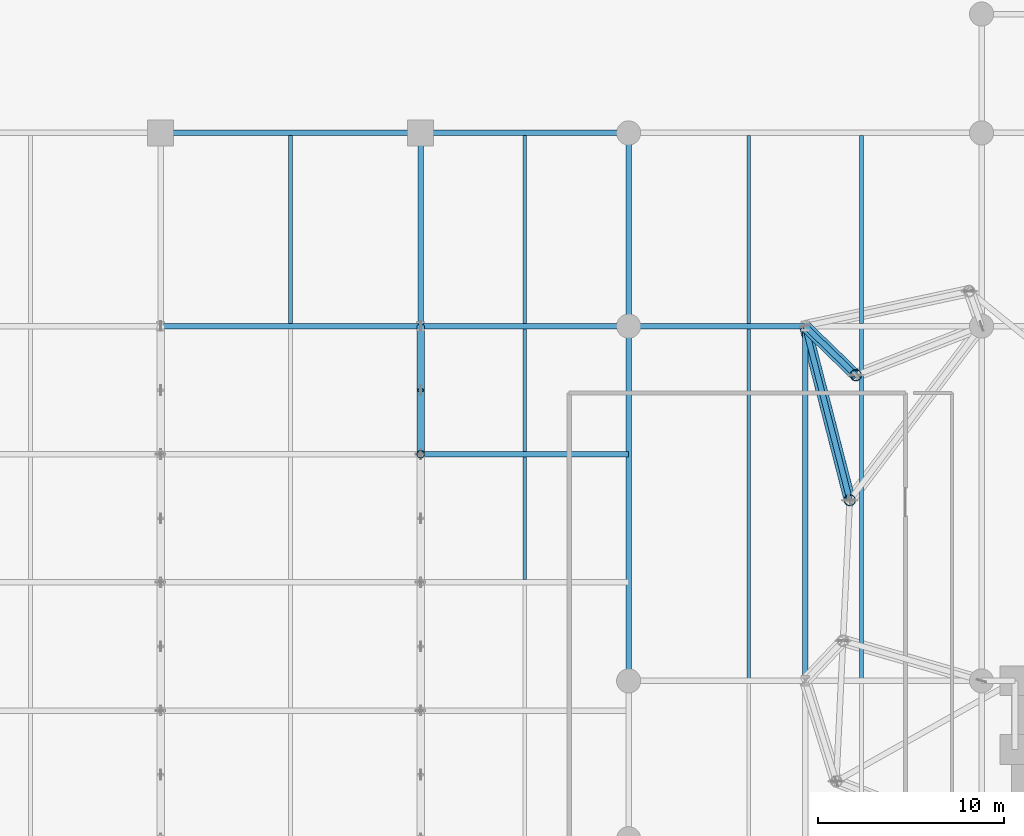
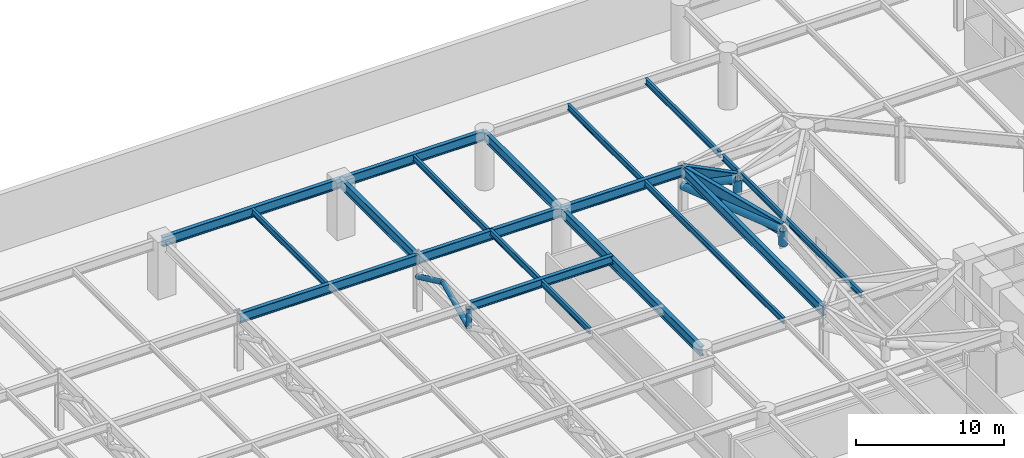
# One storey, part 20 of 40: 20 beams, 7 members.
"""IFC4 building model written with IfcOpenShell, lengths in metres."""

import ifcopenshell
import ifcopenshell.guid

model = None  # the IFC model being written
_history = None  # IfcOwnerHistory: only IFC2X3 demands one
_inside = {}  # id of a spatial element -> (the spatial element, [elements in it])
_under = {}  # id of a project, library or spatial element -> (it, [spatial elements below it])
_declared = {}  # id of a project -> (the project, [libraries it declares])
_typed = {}  # id of a type object -> (the type object, [elements of that type])
_made_of = {}  # id of a material, layer set ... -> (it, [elements and type objects made of it])


def new_model(schema):
    """Start an empty IFC model of exactly this schema.

    Asked for "IFC4X3", IfcOpenShell would pick the latest addendum, in which some entities
    have other attributes; the version numbers below select the first issue.
    IFC2X3 requires an IfcOwnerHistory on every rooted entity: one is made here for all.
    """
    global model, _history
    if schema == "IFC4X3":
        model = ifcopenshell.file(schema_version=(4, 3, 0, 0))
    else:
        model = ifcopenshell.file(schema=schema)
    _inside.clear()
    _under.clear()
    _declared.clear()
    _typed.clear()
    _made_of.clear()
    _history = None
    if model.schema == "IFC2X3":
        org = make("IfcOrganization", Name="unknown")
        user = make(
            "IfcPersonAndOrganization",
            ThePerson=make("IfcPerson", FamilyName="unknown"),
            TheOrganization=org,
        )
        app = make(
            "IfcApplication",
            ApplicationDeveloper=org,
            Version="unknown",
            ApplicationFullName="unknown",
            ApplicationIdentifier="unknown",
        )
        _history = make(
            "IfcOwnerHistory",
            OwningUser=user,
            OwningApplication=app,
            ChangeAction="ADDED",
            CreationDate=0,
        )
    return model


def make(cls, **values):
    """One entity of the class cls with the attributes given. An attribute that is None is left unset."""
    return model.create_entity(
        cls, **{name: value for name, value in values.items() if value is not None}
    )


def rooted(cls, **values):
    """An entity with a GlobalId (a new one), such as an element, a storey or a relation."""
    return make(cls, GlobalId=ifcopenshell.guid.new(), OwnerHistory=_history, **values)


def si_unit(unit_type, name, prefix=None):
    """IfcSIUnit, for example si_unit("LENGTHUNIT", "METRE", prefix="MILLI")."""
    return make("IfcSIUnit", UnitType=unit_type, Prefix=prefix, Name=name)


def assignment(units):
    """IfcUnitAssignment: the units of a project."""
    return None if units is None else make("IfcUnitAssignment", Units=units)


def point(xyz):
    """IfcCartesianPoint."""
    return None if xyz is None else make("IfcCartesianPoint", Coordinates=xyz)


def direction(xyz):
    """IfcDirection."""
    return None if xyz is None else make("IfcDirection", DirectionRatios=xyz)


def frame(location, z_axis=None, x_axis=None):
    """IfcAxis2Placement3D, a coordinate frame: its origin and axes. An axis left out is left unset."""
    return make(
        "IfcAxis2Placement3D",
        Location=point(location),
        Axis=direction(z_axis),
        RefDirection=direction(x_axis),
    )


def frame_2d(location, x_axis=None):
    """IfcAxis2Placement2D, a coordinate frame in the plane: its origin and x axis."""
    return make(
        "IfcAxis2Placement2D", Location=point(location), RefDirection=direction(x_axis)
    )


def origin():
    """The frame at (0, 0, 0) with its axes left unset."""
    return frame((0.0, 0.0, 0.0))


def origin_2d():
    """The frame at (0, 0) in the plane with its x axis left unset."""
    return frame_2d((0.0, 0.0))


def place(relative_to, where):
    """IfcLocalPlacement: puts the frame where relative to a parent placement (None: the world)."""
    return make(
        "IfcLocalPlacement", PlacementRelTo=relative_to, RelativePlacement=where
    )


def context(
    kind, dimensions, precision=None, world=None, true_north=None, identifier=None
):
    """IfcGeometricRepresentationContext, for example the 3D "Model" context."""
    return make(
        "IfcGeometricRepresentationContext",
        ContextIdentifier=identifier,
        ContextType=kind,
        CoordinateSpaceDimension=dimensions,
        Precision=precision,
        WorldCoordinateSystem=world,
        TrueNorth=true_north,
    )


def subcontext(parent, identifier, kind, view, scale=None):
    """IfcGeometricRepresentationSubContext, for example "Body" below "Model"."""
    return make(
        "IfcGeometricRepresentationSubContext",
        ContextIdentifier=identifier,
        ContextType=kind,
        ParentContext=parent,
        TargetScale=scale,
        TargetView=view,
    )


def project(units=None, contexts=None):
    """IfcProject with its units and contexts."""
    return rooted(
        "IfcProject",
        Name="project",
        RepresentationContexts=contexts,
        UnitsInContext=assignment(units),
    )


def spatial(cls, under=None, at=None, **own):
    """A site, building, storey or space (cls), placed at a placement, below another one or the project."""
    s = rooted(cls, ObjectPlacement=at, **own)
    if under is not None:
        _under.setdefault(under.id(), (under, []))[1].append(s)
    return s


def profile(cls, at=None, kind="AREA", **sizes):
    """A parametric profile (cls). Its sizes go by their IFC names, for example OverallWidth=200.0."""
    return make(cls, ProfileType=kind, Position=at, **sizes)


def hollow_circle(**sizes):
    """IfcCircleHollowProfileDef."""
    return profile("IfcCircleHollowProfileDef", **sizes)


def i_section(**sizes):
    """IfcIShapeProfileDef."""
    return profile("IfcIShapeProfileDef", **sizes)


def extrude(swept, where, along, depth):
    """IfcExtrudedAreaSolid: the profile swept, set in the frame where, extruded along a direction by depth."""
    return make(
        "IfcExtrudedAreaSolid",
        SweptArea=swept,
        Position=where,
        ExtrudedDirection=direction(along),
        Depth=depth,
    )


def shape(context_of_items, identifier, shape_type, items):
    """IfcShapeRepresentation: the items that make up one representation, for example the "Body"."""
    return make(
        "IfcShapeRepresentation",
        ContextOfItems=context_of_items,
        RepresentationIdentifier=identifier,
        RepresentationType=shape_type,
        Items=items,
    )


def material(Name=None, Category=None):
    """IfcMaterial."""
    return make("IfcMaterial", Name=Name, Category=Category)


def material_profile(
    of_material, cross_section, Name=None, Category=None, Priority=None
):
    """IfcMaterialProfile: a cross section and its material."""
    return make(
        "IfcMaterialProfile",
        Name=Name,
        Material=of_material,
        Profile=cross_section,
        Priority=Priority,
        Category=Category,
    )


def profile_set(profiles, Name=None, composite=None):
    """IfcMaterialProfileSet."""
    return make(
        "IfcMaterialProfileSet",
        Name=Name,
        MaterialProfiles=profiles,
        CompositeProfile=composite,
    )


def made_of(thing, what):
    """Note that an element or type object is made of a material, layer set ...; save() writes the relation."""
    if what is not None:
        _made_of.setdefault(what.id(), (what, []))[1].append(thing)
    return thing


def type_object(cls, material=None, **own):
    """A type object (cls), such as IfcWallType, which elements share."""
    return made_of(rooted(cls, **own), material)


def element(
    cls,
    number,
    at=None,
    inside=None,
    cuts=None,
    type_object=None,
    material=None,
    context=None,
    identifier="Body",
    shape_type=None,
    held_by="IfcProductDefinitionShape",
    body=None,
    shapes=None,
    **own,
):
    """One element of the class cls, such as IfcWall. Its Tag is "e" and its number.

    at: its placement. inside: the storey or other place that contains it. cuts: it is an
    opening in that element (IfcRelVoidsElement). A single representation is given by context,
    identifier, shape_type and body (its items); several are given by shapes. held_by: the class
    of the entity that holds the representations. save() writes the other relations.
    """
    e = rooted(cls, Tag="e%d" % number, ObjectPlacement=at, **own)
    if body is not None:
        shapes = [shape(context, identifier, shape_type, body)]
    if shapes is not None:
        e.Representation = make(held_by, Representations=shapes)
    if inside is not None:
        _inside.setdefault(inside.id(), (inside, []))[1].append(e)
    if cuts is not None:
        rooted(
            "IfcRelVoidsElement", RelatingBuildingElement=cuts, RelatedOpeningElement=e
        )
    if type_object is not None:
        _typed.setdefault(type_object.id(), (type_object, []))[1].append(e)
    return made_of(e, material)


def aggregate(whole, parts):
    """IfcRelAggregates: a whole, such as a stair, and the parts it consists of."""
    return rooted("IfcRelAggregates", RelatingObject=whole, RelatedObjects=parts)


def save(model, path):
    """Write the relations noted so far, then the file.

    IfcRelAggregates (storeys below a building ...), IfcRelContainedInSpatialStructure (elements
    in a storey), IfcRelDefinesByType, IfcRelAssociatesMaterial and IfcRelDeclares: one each for
    every whole, place, type object, material and project.
    """
    for whole, parts in _under.values():
        aggregate(whole, parts)
    for where, things in _inside.values():
        rooted(
            "IfcRelContainedInSpatialStructure",
            RelatedElements=things,
            RelatingStructure=where,
        )
    for kind, things in _typed.values():
        rooted("IfcRelDefinesByType", RelatedObjects=things, RelatingType=kind)
    for what, things in _made_of.values():
        rooted("IfcRelAssociatesMaterial", RelatedObjects=things, RelatingMaterial=what)
    for by, libraries in _declared.values():
        rooted("IfcRelDeclares", RelatingContext=by, RelatedDefinitions=libraries)
    model.write(path)


model = new_model("IFC4")

# Units and contexts
model_context = context("Model", 3, precision=1e-05, world=origin(), true_north=direction((0.0, 1.0)))
body_context = subcontext(model_context, "Body", "Model", "MODEL_VIEW")
ifc_project = project(units=[si_unit("LENGTHUNIT", "METRE"), si_unit("AREAUNIT", "SQUARE_METRE"), si_unit("VOLUMEUNIT", "CUBIC_METRE"), si_unit("PLANEANGLEUNIT", "RADIAN"), si_unit("MASSUNIT", "GRAM", prefix="KILO")], contexts=[model_context])

# Site, building, storey
site_placement = place(None, origin())
site = spatial("IfcSite", under=ifc_project, at=site_placement, CompositionType="ELEMENT")
building_placement = place(site_placement, origin())
building = spatial("IfcBuilding", under=site, at=building_placement, Name="Narakoshi Arena Tower", CompositionType="ELEMENT")
storey_placement = place(building_placement, frame((0.0, 0.0, 21.60009765625)))
storey = spatial("IfcBuildingStorey", under=building, at=storey_placement, Name="L05", CompositionType="ELEMENT", Elevation=21.60009765625)

# Beams
ifc_material_1 = material(Name="Structural steel S355J2", Category="steel")
ifc_material_profile_1 = material_profile(ifc_material_1, i_section(OverallWidth=0.300048828125, OverallDepth=0.699951171875, WebThickness=0.01708984375, FlangeThickness=0.031982421875, FilletRadius=0.027099609375, at=origin_2d()), Name="HE700B")
ifc_profile_set_1 = profile_set([ifc_material_profile_1], Name="Structural steel S355J2")
beam_type_1 = type_object("IfcBeamType", Name="BM-PRI-700", PredefinedType="BEAM", material=ifc_profile_set_1)
beam_1_placement = place(storey_placement, frame((40.14501953125, 68.699951171875, 4.429931640625), z_axis=(1.0, 0.0, 0.0), x_axis=(0.0, 1.0, 0.0)))
element("IfcBeam", 1, at=beam_1_placement, inside=storey, type_object=beam_type_1, Name="L05 Arena Roof Transverse Girder 7-40", PredefinedType="BEAM", context=body_context, shape_type="SweptSolid", body=[
    extrude(i_section(OverallWidth=0.300048828125, OverallDepth=0.699951171875, WebThickness=0.01708984375, FlangeThickness=0.031982421875, FilletRadius=0.027099609375, at=origin_2d()), origin(), (0.0, 0.0, 1.0), 11.054931640625),
])
ifc_material_2 = material(Name="Structural steel S460ML", Category="steel")
ifc_material_profile_2 = material_profile(ifc_material_2, i_section(OverallWidth=0.300048828125, OverallDepth=0.800048828125, WebThickness=0.017578125, FlangeThickness=0.032958984375, FilletRadius=0.030029296875, at=origin_2d()), Name="HE800B")
ifc_profile_set_2 = profile_set([ifc_material_profile_2], Name="Structural steel S460ML")
beam_type_2 = type_object("IfcBeamType", Name="BM-PRI-800", PredefinedType="BEAM", material=ifc_profile_set_2)
beam_2_placement = place(storey_placement, frame((26.0, 75.60009765625, 4.199951171875), z_axis=(1.0, 0.0, 0.0), x_axis=(0.0, 1.0, 0.0)))
element("IfcBeam", 2, at=beam_2_placement, inside=storey, type_object=beam_type_2, Name="L05 Podium Primary X-Girder 045", PredefinedType="BEAM", context=body_context, shape_type="SweptSolid", body=[
    extrude(i_section(OverallWidth=0.300048828125, OverallDepth=0.800048828125, WebThickness=0.017578125, FlangeThickness=0.032958984375, FilletRadius=0.030029296875, at=origin_2d()), origin(), (0.0, 0.0, 1.0), 14.0),
])
beam_3_placement = place(storey_placement, frame((40.0, 75.60009765625, 4.199951171875), z_axis=(1.0, 0.0, 0.0), x_axis=(0.0, 1.0, 0.0)))
element("IfcBeam", 3, at=beam_3_placement, inside=storey, type_object=beam_type_2, Name="L05 Podium Primary X-Girder 046", PredefinedType="BEAM", context=body_context, shape_type="SweptSolid", body=[
    extrude(i_section(OverallWidth=0.300048828125, OverallDepth=0.800048828125, WebThickness=0.017578125, FlangeThickness=0.032958984375, FilletRadius=0.030029296875, at=origin_2d()), origin(), (0.0, 0.0, 1.0), 11.199951171875),
])
beam_4_placement = place(storey_placement, frame((51.199951171875, 75.60009765625, 4.199951171875), z_axis=(1.0, 0.0, 0.0), x_axis=(0.0, 1.0, 0.0)))
element("IfcBeam", 4, at=beam_4_placement, inside=storey, type_object=beam_type_2, Name="L05 Podium Primary X-Girder 047", PredefinedType="BEAM", context=body_context, shape_type="SweptSolid", body=[
    extrude(i_section(OverallWidth=0.300048828125, OverallDepth=0.800048828125, WebThickness=0.017578125, FlangeThickness=0.032958984375, FilletRadius=0.030029296875, at=origin_2d()), origin(), (0.0, 0.0, 1.0), 9.5),
])
beam_5_placement = place(storey_placement, frame((26.0, 86.0, 4.199951171875), z_axis=(1.0, 0.0, 0.0), x_axis=(0.0, 1.0, 0.0)))
element("IfcBeam", 5, at=beam_5_placement, inside=storey, type_object=beam_type_2, Name="L05 Podium Primary X-Girder 055", PredefinedType="BEAM", context=body_context, shape_type="SweptSolid", body=[
    extrude(i_section(OverallWidth=0.300048828125, OverallDepth=0.800048828125, WebThickness=0.017578125, FlangeThickness=0.032958984375, FilletRadius=0.030029296875, at=origin_2d()), origin(), (0.0, 0.0, 1.0), 14.0),
])
beam_6_placement = place(storey_placement, frame((40.0, 86.0, 4.199951171875), z_axis=(1.0, 0.0, 0.0), x_axis=(0.0, 1.0, 0.0)))
element("IfcBeam", 6, at=beam_6_placement, inside=storey, type_object=beam_type_2, Name="L05 Podium Primary X-Girder 056", PredefinedType="BEAM", context=body_context, shape_type="SweptSolid", body=[
    extrude(i_section(OverallWidth=0.300048828125, OverallDepth=0.800048828125, WebThickness=0.017578125, FlangeThickness=0.032958984375, FilletRadius=0.030029296875, at=origin_2d()), origin(), (0.0, 0.0, 1.0), 11.199951171875),
])
beam_7_placement = place(storey_placement, frame((40.0, 75.60009765625, 4.199951171875), z_axis=(0.0, 1.0, 0.0), x_axis=(-1.0, 0.0, 0.0)))
element("IfcBeam", 7, at=beam_7_placement, inside=storey, type_object=beam_type_2, Name="L05 Podium Primary Y-Girder 079", PredefinedType="BEAM", context=body_context, shape_type="SweptSolid", body=[
    extrude(i_section(OverallWidth=0.300048828125, OverallDepth=0.800048828125, WebThickness=0.017578125, FlangeThickness=0.032958984375, FilletRadius=0.030029296875, at=origin_2d()), origin(), (0.0, 0.0, 1.0), 10.39990234375),
])
beam_8_placement = place(storey_placement, frame((51.199951171875, 56.5, 4.199951171875), z_axis=(0.0, 1.0, 0.0), x_axis=(-1.0, 0.0, 0.0)))
element("IfcBeam", 8, at=beam_8_placement, inside=storey, type_object=beam_type_2, Name="L05 Podium Primary Y-Girder 084", PredefinedType="BEAM", context=body_context, shape_type="SweptSolid", body=[
    extrude(i_section(OverallWidth=0.300048828125, OverallDepth=0.800048828125, WebThickness=0.017578125, FlangeThickness=0.032958984375, FilletRadius=0.030029296875, at=origin_2d()), origin(), (0.0, 0.0, 1.0), 19.10009765625),
])
beam_9_placement = place(storey_placement, frame((51.199951171875, 75.60009765625, 4.199951171875), z_axis=(0.0, 1.0, 0.0), x_axis=(-1.0, 0.0, 0.0)))
element("IfcBeam", 9, at=beam_9_placement, inside=storey, type_object=beam_type_2, Name="L05 Podium Primary Y-Girder 085", PredefinedType="BEAM", context=body_context, shape_type="SweptSolid", body=[
    extrude(i_section(OverallWidth=0.300048828125, OverallDepth=0.800048828125, WebThickness=0.017578125, FlangeThickness=0.032958984375, FilletRadius=0.030029296875, at=origin_2d()), origin(), (0.0, 0.0, 1.0), 10.39990234375),
])
beam_10_placement = place(storey_placement, frame((60.699951171875, 56.5, 4.199951171875), z_axis=(0.0, 1.0, 0.0), x_axis=(-1.0, 0.0, 0.0)))
element("IfcBeam", 10, at=beam_10_placement, inside=storey, type_object=beam_type_2, Name="L05 Podium Primary Y-Girder 088", PredefinedType="BEAM", context=body_context, shape_type="SweptSolid", body=[
    extrude(i_section(OverallWidth=0.300048828125, OverallDepth=0.800048828125, WebThickness=0.017578125, FlangeThickness=0.032958984375, FilletRadius=0.030029296875, at=origin_2d()), origin(), (0.0, 0.0, 1.0), 19.10009765625),
])
ifc_material_profile_3 = material_profile(ifc_material_1, i_section(OverallWidth=0.199951171875, OverallDepth=0.5, WebThickness=0.01025390625, FlangeThickness=0.01611328125, FilletRadius=0.02099609375, at=origin_2d()), Name="IPE500")
ifc_profile_set_3 = profile_set([ifc_material_profile_3], Name="Structural steel S355J2")
beam_type_3 = type_object("IfcBeamType", Name="BM-SEC-500", PredefinedType="JOIST", material=ifc_profile_set_3)
for number, where, z_axis, x_axis, name in (
    (11, (33.0, 75.735107421875, 4.349853515625), (0.0, 1.0, 0.0), (-1.0, 0.0, 0.0), "L05 Podium Composite Floor Joist 006"),
    (12, (45.60009765625, 75.735107421875, 4.349853515625), (0.0, 1.0, 0.0), (-1.0, 0.0, 0.0), "L05 Podium Composite Floor Joist 008"),
):
    element("IfcBeam", number, at=place(storey_placement, frame(where, z_axis=z_axis, x_axis=x_axis)), inside=storey, type_object=beam_type_3, Name=name, PredefinedType="JOIST", context=body_context, shape_type="SweptSolid", body=[
        extrude(i_section(OverallWidth=0.199951171875, OverallDepth=0.5, WebThickness=0.01025390625, FlangeThickness=0.01611328125, FilletRadius=0.02099609375, at=origin_2d()), origin(), (0.0, 0.0, 1.0), 10.1298828125),
    ])
beam_11_placement = place(storey_placement, frame((57.659912109375, 56.635009765625, 4.349853515625), z_axis=(0.0, 1.0, 0.0), x_axis=(-1.0, 0.0, 0.0)))
element("IfcBeam", 13, at=beam_11_placement, inside=storey, type_object=beam_type_3, Name="L05 Podium Composite Floor Joist 013", PredefinedType="JOIST", context=body_context, shape_type="SweptSolid", body=[
    extrude(i_section(OverallWidth=0.199951171875, OverallDepth=0.5, WebThickness=0.01025390625, FlangeThickness=0.01611328125, FilletRadius=0.02099609375, at=origin_2d()), origin(), (0.0, 0.0, 1.0), 18.830078125),
])
beam_12_placement = place(storey_placement, frame((57.659912109375, 75.735107421875, 4.349853515625), z_axis=(0.0, 1.0, 0.0), x_axis=(-1.0, 0.0, 0.0)))
element("IfcBeam", 14, at=beam_12_placement, inside=storey, type_object=beam_type_3, Name="L05 Podium Composite Floor Joist 014", PredefinedType="JOIST", context=body_context, shape_type="SweptSolid", body=[
    extrude(i_section(OverallWidth=0.199951171875, OverallDepth=0.5, WebThickness=0.01025390625, FlangeThickness=0.01611328125, FilletRadius=0.02099609375, at=origin_2d()), origin(), (0.0, 0.0, 1.0), 10.1298828125),
])
beam_13_placement = place(storey_placement, frame((63.739990234375, 56.635009765625, 4.349853515625), z_axis=(0.0, 1.0, 0.0), x_axis=(-1.0, 0.0, 0.0)))
element("IfcBeam", 15, at=beam_13_placement, inside=storey, type_object=beam_type_3, Name="L05 Podium Composite Floor Joist 019", PredefinedType="JOIST", context=body_context, shape_type="SweptSolid", body=[
    extrude(i_section(OverallWidth=0.199951171875, OverallDepth=0.5, WebThickness=0.01025390625, FlangeThickness=0.01611328125, FilletRadius=0.02099609375, at=origin_2d()), origin(), (0.0, 0.0, 1.0), 18.830078125),
])
beam_14_placement = place(storey_placement, frame((63.739990234375, 75.735107421875, 4.349853515625), z_axis=(0.0, 1.0, 0.0), x_axis=(-1.0, 0.0, 0.0)))
element("IfcBeam", 16, at=beam_14_placement, inside=storey, type_object=beam_type_3, Name="L05 Podium Composite Floor Joist 020", PredefinedType="JOIST", context=body_context, shape_type="SweptSolid", body=[
    extrude(i_section(OverallWidth=0.199951171875, OverallDepth=0.5, WebThickness=0.01025390625, FlangeThickness=0.01611328125, FilletRadius=0.02099609375, at=origin_2d()), origin(), (0.0, 0.0, 1.0), 10.1298828125),
])
beam_15_placement = place(storey_placement, frame((45.60009765625, 61.945068359375, 4.52978515625), z_axis=(0.0, 1.0, 0.0), x_axis=(-1.0, 0.0, 0.0)))
element("IfcBeam", 17, at=beam_15_placement, inside=storey, type_object=beam_type_3, Name="L05 Arena Roof Secondary Joist 40-7", PredefinedType="JOIST", context=body_context, shape_type="SweptSolid", body=[
    extrude(i_section(OverallWidth=0.199951171875, OverallDepth=0.5, WebThickness=0.01025390625, FlangeThickness=0.01611328125, FilletRadius=0.02099609375, at=origin_2d()), origin(), (0.0, 0.0, 1.0), 6.60986328125),
])
beam_16_placement = place(storey_placement, frame((45.60009765625, 68.844970703125, 4.52978515625), z_axis=(0.0, 1.0, 0.0), x_axis=(-1.0, 0.0, 0.0)))
element("IfcBeam", 18, at=beam_16_placement, inside=storey, type_object=beam_type_3, Name="L05 Arena Roof Secondary Joist 40-8", PredefinedType="JOIST", context=body_context, shape_type="SweptSolid", body=[
    extrude(i_section(OverallWidth=0.199951171875, OverallDepth=0.5, WebThickness=0.01025390625, FlangeThickness=0.01611328125, FilletRadius=0.02099609375, at=origin_2d()), origin(), (0.0, 0.0, 1.0), 6.610107421875),
])
ifc_material_profile_4 = material_profile(ifc_material_2, i_section(OverallWidth=0.302001953125, OverallDepth=1.008056640625, WebThickness=0.02099609375, FlangeThickness=0.0400390625, FilletRadius=0.030029296875, at=origin_2d()), Name="HE1000M")
ifc_profile_set_4 = profile_set([ifc_material_profile_4], Name="Structural steel S460ML")
beam_type_4 = type_object("IfcBeamType", Name="BM-XFER-1000", PredefinedType="BEAM", material=ifc_profile_set_4)
beam_17_placement = place(storey_placement, frame((60.699951171875, 75.60009765625, 4.19580078125), z_axis=(0.718168960202, -0.69586876967, 0.0), x_axis=(0.69586876967, 0.718168960202, 0.0)))
element("IfcBeam", 19, at=beam_17_placement, inside=storey, type_object=beam_type_4, Name="L05 Tower Radial Transfer Girder 13-W", PredefinedType="BEAM", context=body_context, shape_type="SweptSolid", body=[
    extrude(i_section(OverallWidth=0.302001953125, OverallDepth=1.008056640625, WebThickness=0.02099609375, FlangeThickness=0.0400390625, FilletRadius=0.030029296875, at=origin_2d()), origin(), (0.0, 0.0, 1.0), 3.798828125),
])
beam_18_placement = place(storey_placement, frame((60.699951171875, 75.60009765625, 4.19580078125), z_axis=(0.248569004859, -0.968614190389, 0.0), x_axis=(0.968614190389, 0.248569004859, 0.0)))
element("IfcBeam", 20, at=beam_18_placement, inside=storey, type_object=beam_type_4, Name="L05 Tower Radial Transfer Girder 14-W", PredefinedType="BEAM", context=body_context, shape_type="SweptSolid", body=[
    extrude(i_section(OverallWidth=0.302001953125, OverallDepth=1.008056640625, WebThickness=0.02099609375, FlangeThickness=0.0400390625, FilletRadius=0.030029296875, at=origin_2d()), origin(), (0.0, 0.0, 1.0), 9.675537109375),
])

# Members
ifc_material_profile_5 = material_profile(ifc_material_2, hollow_circle(Radius=0.203125, WallThickness=0.01611328125, at=origin_2d()), Name="CHS406x16")
ifc_profile_set_5 = profile_set([ifc_material_profile_5], Name="Structural steel S460ML")
member_type_1 = type_object("IfcMemberType", Name="MEM-ARN-406", PredefinedType="CHORD", material=ifc_profile_set_5)
member_1_placement = place(storey_placement, frame((40.0, 68.699951171875, 2.699951171875), z_axis=(0.0, 0.0, 1.0), x_axis=(1.0, 0.0, 0.0)))
element("IfcMember", 21, at=member_1_placement, inside=storey, type_object=member_type_1, Name="L05 Arena Roof Truss 3 Web Post 8", PredefinedType="CHORD", context=body_context, shape_type="SweptSolid", body=[
    extrude(hollow_circle(Radius=0.203125, WallThickness=0.01611328125, at=origin_2d()), origin(), (0.0, 0.0, 1.0), 1.625),
])
member_2_placement = place(storey_placement, frame((40.0, 68.699951171875, 2.699951171875), z_axis=(0.0, 0.904667753866, 0.426117654075), x_axis=(-1.0, 0.0, 0.0)))
element("IfcMember", 22, at=member_2_placement, inside=storey, type_object=member_type_1, Name="L05 Arena Roof Truss 3 Web Diagonal 8A", PredefinedType="CHORD", context=body_context, shape_type="SweptSolid", body=[
    extrude(hollow_circle(Radius=0.203125, WallThickness=0.01611328125, at=origin_2d()), origin(), (0.0, 0.0, 1.0), 3.8134765625),
])
member_3_placement = place(storey_placement, frame((40.0, 72.14990234375, 4.324951171875), z_axis=(0.0, 0.904679377383, -0.426092975931), x_axis=(-1.0, 0.0, 0.0)))
element("IfcMember", 23, at=member_3_placement, inside=storey, type_object=member_type_1, Name="L05 Arena Roof Truss 3 Web Diagonal 8B", PredefinedType="CHORD", context=body_context, shape_type="SweptSolid", body=[
    extrude(hollow_circle(Radius=0.203125, WallThickness=0.01611328125, at=origin_2d()), origin(), (0.0, 0.0, 1.0), 3.813720703125),
])
ifc_material_profile_6 = material_profile(ifc_material_2, hollow_circle(Radius=0.304931640625, WallThickness=0.02490234375, at=origin_2d()), Name="CHS610x25")
ifc_profile_set_6 = profile_set([ifc_material_profile_6], Name="Structural steel S460ML")
member_type_2 = type_object("IfcMemberType", Name="MEM-OUT-610", PredefinedType="BRACE", material=ifc_profile_set_6)
member_4_placement = place(storey_placement, frame((60.699951171875, 75.60009765625, 2.949951171875), z_axis=(0.682409418727, -0.661219613957, 0.311618368122), x_axis=(0.69586876967, 0.718168960202, 0.0)))
element("IfcMember", 24, at=member_4_placement, inside=storey, type_object=member_type_2, Name="L05 Tower Transfer Strut Diagonal 13-W", PredefinedType="BRACE", context=body_context, shape_type="SweptSolid", body=[
    extrude(hollow_circle(Radius=0.304931640625, WallThickness=0.02490234375, at=origin_2d()), origin(), (0.0, 0.0, 1.0), 3.998046875),
])
member_5_placement = place(storey_placement, frame((63.42822265625, 72.95654296875, 2.949951171875), z_axis=(0.0, 0.0, 1.0), x_axis=(1.0, 0.0, 0.0)))
element("IfcMember", 25, at=member_5_placement, inside=storey, type_object=member_type_2, Name="L05 Tower Transfer End Post 13", PredefinedType="BRACE", context=body_context, shape_type="SweptSolid", body=[
    extrude(hollow_circle(Radius=0.304931640625, WallThickness=0.02490234375, at=origin_2d()), origin(), (0.0, 0.0, 1.0), 1.245849609375),
])
member_6_placement = place(storey_placement, frame((60.699951171875, 75.60009765625, 2.949951171875), z_axis=(0.246533643225, -0.960682871026, 0.127708981969), x_axis=(0.968614190389, 0.248569004859, 0.0)))
element("IfcMember", 26, at=member_6_placement, inside=storey, type_object=member_type_2, Name="L05 Tower Transfer Strut Diagonal 14-W", PredefinedType="BRACE", context=body_context, shape_type="SweptSolid", body=[
    extrude(hollow_circle(Radius=0.304931640625, WallThickness=0.02490234375, at=origin_2d()), origin(), (0.0, 0.0, 1.0), 9.75537109375),
])
member_7_placement = place(storey_placement, frame((63.10498046875, 66.228271484375, 2.949951171875), z_axis=(0.0, 0.0, 1.0), x_axis=(1.0, 0.0, 0.0)))
element("IfcMember", 27, at=member_7_placement, inside=storey, type_object=member_type_2, Name="L05 Tower Transfer End Post 14", PredefinedType="BRACE", context=body_context, shape_type="SweptSolid", body=[
    extrude(hollow_circle(Radius=0.304931640625, WallThickness=0.02490234375, at=origin_2d()), origin(), (0.0, 0.0, 1.0), 1.245849609375),
])

save(model, "model.ifc")
